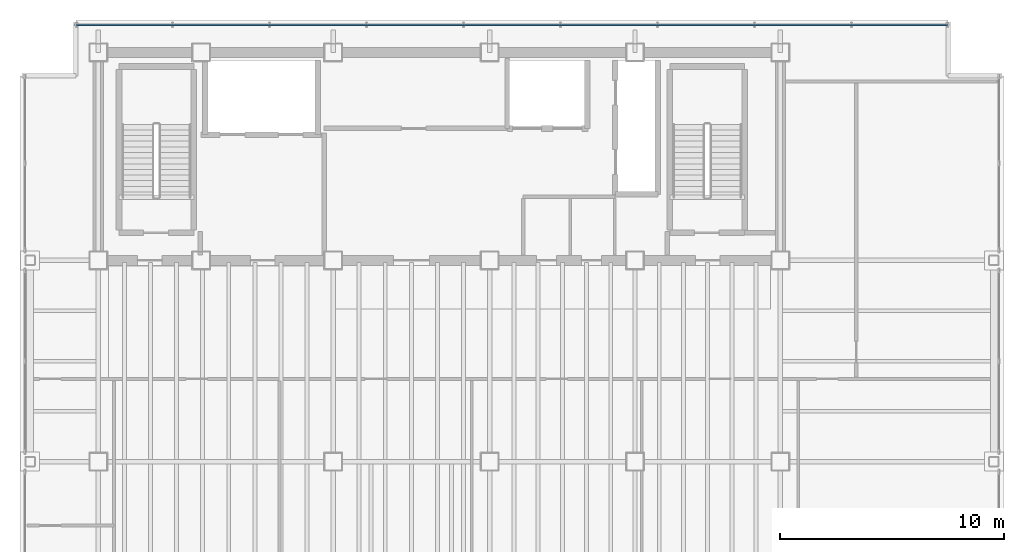
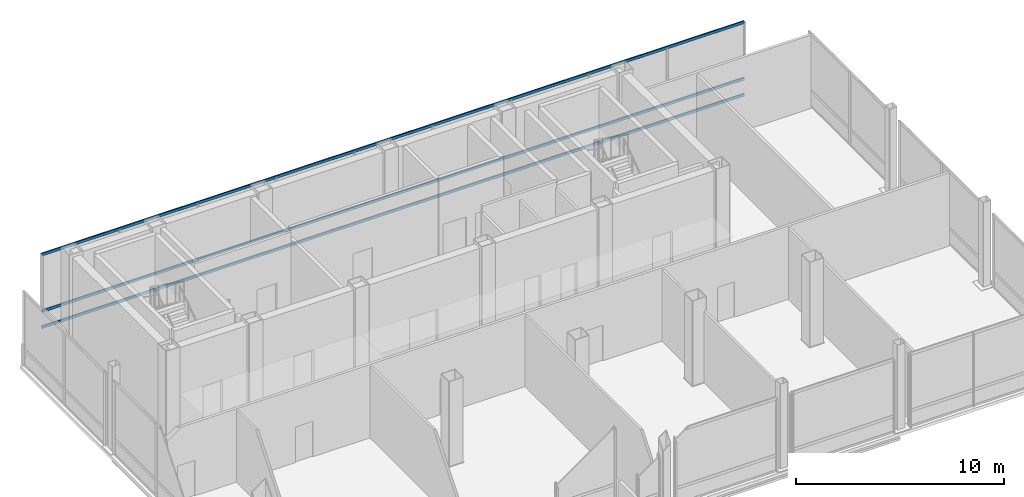
# One storey, part 8 of 15: 3 members, 1 element without a shape of its own.
"""IFC4 building model written with IfcOpenShell, lengths in metres."""

from ifc_helpers import new_model, si_unit, direction, frame, origin, origin_2d, place, context, subcontext, project, spatial, hollow_rectangle, extrude, material, material_profile, profile_set, type_object, element, aggregate, save


model = new_model("IFC4")

# Units and contexts
model_context = context("Model", 3, precision=1e-05, world=origin(), true_north=direction((0.0, 1.0)))
body_context = subcontext(model_context, "Body", "Model", "MODEL_VIEW")
ifc_project = project(units=[si_unit("LENGTHUNIT", "METRE"), si_unit("AREAUNIT", "SQUARE_METRE"), si_unit("VOLUMEUNIT", "CUBIC_METRE"), si_unit("PLANEANGLEUNIT", "RADIAN"), si_unit("MASSUNIT", "GRAM", prefix="KILO")], contexts=[model_context])

# Site, building, storey
site_placement = place(None, origin())
site = spatial("IfcSite", under=ifc_project, at=site_placement, CompositionType="ELEMENT")
building_placement = place(site_placement, origin())
building = spatial("IfcBuilding", under=site, at=building_placement, Name="Noeulbin Bourse Tower", CompositionType="ELEMENT")
storey_placement = place(building_placement, frame((0.0, 0.0, 206.10009765625)))
storey = spatial("IfcBuildingStorey", under=building, at=storey_placement, Name="L51", CompositionType="ELEMENT", Elevation=206.10009765625)

# Curtain wall, members
ifc_material_1 = material(Name="High-Selectivity Low-Iron Glazing", Category="glass")
curtain_wall_type = type_object("IfcCurtainWallType", Name="CW-SYS-4", PredefinedType="NOTDEFINED", material=ifc_material_1)
curtain_wall_placement = place(storey_placement, origin())
curtain_wall = element("IfcCurtainWall", 1, at=curtain_wall_placement, inside=storey, type_object=curtain_wall_type, Name="Unitised Curtain Wall CW-L51-N", PredefinedType="NOTDEFINED")
ifc_material_2 = material(Name="Anodised Aluminium 6063-T6", Category="aluminium")
ifc_material_profile = material_profile(ifc_material_2, hollow_rectangle(XDim=0.074951171875, YDim=0.159912109375, WallThickness=0.0048828125, InnerFilletRadius=0.00244140625, OuterFilletRadius=0.0048828125, at=origin_2d()), Name="ALU-TRAN-75x160x5", Category="LoadBearing")
ifc_profile_set = profile_set([ifc_material_profile], Name="Anodised Aluminium 6063-T6")
member_type = type_object("IfcMemberType", Name="CW-SYS-4-TRN", PredefinedType="USERDEFINED", material=ifc_profile_set)
member_1_placement = place(storey_placement, frame((12.530029296875, 39.530029296875, 0.010009765625), z_axis=(1.0, 0.0, 0.0), x_axis=(0.0, 1.0, 0.0)))
member_1 = element("IfcMember", 2, at=member_1_placement, type_object=member_type, Name="Curtain Wall Transom CW-L51-N-T00", ObjectType="TRANSOM", PredefinedType="USERDEFINED", context=body_context, shape_type="SweptSolid", body=[
    extrude(hollow_rectangle(XDim=0.074951171875, YDim=0.159912109375, WallThickness=0.0048828125, InnerFilletRadius=0.00244140625, OuterFilletRadius=0.0048828125, at=origin_2d()), origin(), (0.0, 0.0, 1.0), 38.93994140625),
])
member_2_placement = place(storey_placement, frame((12.530029296875, 39.530029296875, 0.949951171875), z_axis=(1.0, 0.0, 0.0), x_axis=(0.0, 1.0, 0.0)))
member_2 = element("IfcMember", 3, at=member_2_placement, type_object=member_type, Name="Curtain Wall Transom CW-L51-N-T01", ObjectType="TRANSOM", PredefinedType="USERDEFINED", context=body_context, shape_type="SweptSolid", body=[
    extrude(hollow_rectangle(XDim=0.074951171875, YDim=0.159912109375, WallThickness=0.0048828125, InnerFilletRadius=0.00244140625, OuterFilletRadius=0.0048828125, at=origin_2d()), origin(), (0.0, 0.0, 1.0), 38.93994140625),
])
member_3_placement = place(storey_placement, frame((12.530029296875, 39.530029296875, 4.27001953125), z_axis=(1.0, 0.0, 0.0), x_axis=(0.0, 1.0, 0.0)))
member_3 = element("IfcMember", 4, at=member_3_placement, type_object=member_type, Name="Curtain Wall Transom CW-L51-N-T02", ObjectType="TRANSOM", PredefinedType="USERDEFINED", context=body_context, shape_type="SweptSolid", body=[
    extrude(hollow_rectangle(XDim=0.074951171875, YDim=0.159912109375, WallThickness=0.0048828125, InnerFilletRadius=0.00244140625, OuterFilletRadius=0.0048828125, at=origin_2d()), origin(), (0.0, 0.0, 1.0), 38.93994140625),
])
aggregate(curtain_wall, [member_1, member_2, member_3])

save(model, "model.ifc")
